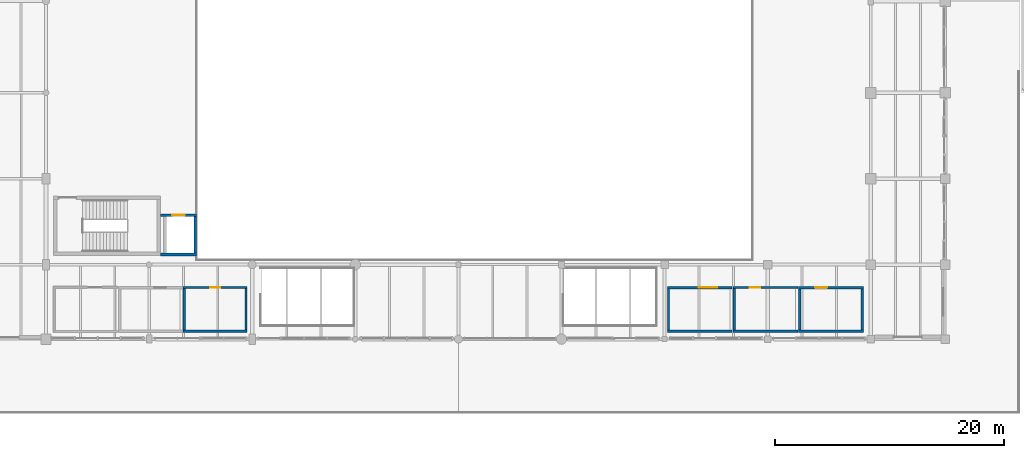
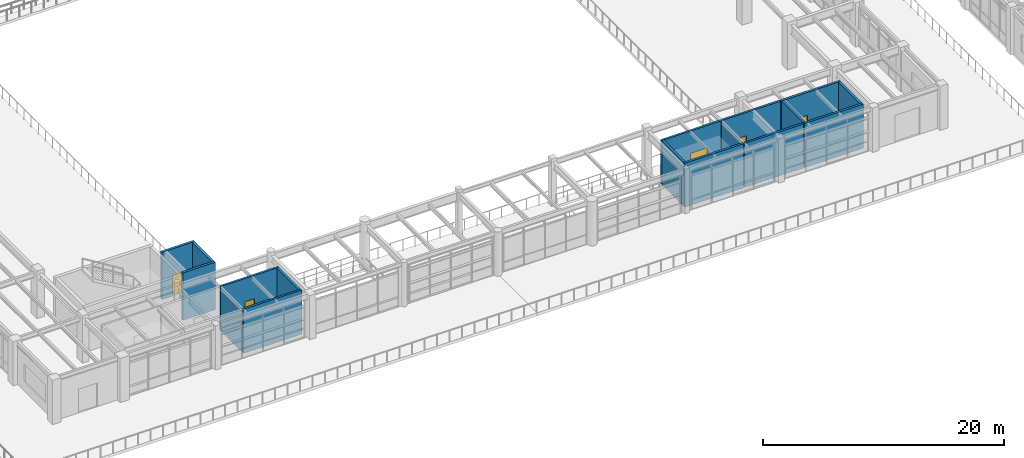
# One storey, part 173 of 200: 17 walls, 5 doors, 5 openings.
"""IFC4 building model written with IfcOpenShell, lengths in metres."""

import ifcopenshell
import ifcopenshell.guid

model = None  # the IFC model being written
_history = None  # IfcOwnerHistory: only IFC2X3 demands one
_inside = {}  # id of a spatial element -> (the spatial element, [elements in it])
_under = {}  # id of a project, library or spatial element -> (it, [spatial elements below it])
_declared = {}  # id of a project -> (the project, [libraries it declares])
_typed = {}  # id of a type object -> (the type object, [elements of that type])
_made_of = {}  # id of a material, layer set ... -> (it, [elements and type objects made of it])


def new_model(schema):
    """Start an empty IFC model of exactly this schema.

    Asked for "IFC4X3", IfcOpenShell would pick the latest addendum, in which some entities
    have other attributes; the version numbers below select the first issue.
    IFC2X3 requires an IfcOwnerHistory on every rooted entity: one is made here for all.
    """
    global model, _history
    if schema == "IFC4X3":
        model = ifcopenshell.file(schema_version=(4, 3, 0, 0))
    else:
        model = ifcopenshell.file(schema=schema)
    _inside.clear()
    _under.clear()
    _declared.clear()
    _typed.clear()
    _made_of.clear()
    _history = None
    if model.schema == "IFC2X3":
        org = make("IfcOrganization", Name="unknown")
        user = make(
            "IfcPersonAndOrganization",
            ThePerson=make("IfcPerson", FamilyName="unknown"),
            TheOrganization=org,
        )
        app = make(
            "IfcApplication",
            ApplicationDeveloper=org,
            Version="unknown",
            ApplicationFullName="unknown",
            ApplicationIdentifier="unknown",
        )
        _history = make(
            "IfcOwnerHistory",
            OwningUser=user,
            OwningApplication=app,
            ChangeAction="ADDED",
            CreationDate=0,
        )
    return model


def make(cls, **values):
    """One entity of the class cls with the attributes given. An attribute that is None is left unset."""
    return model.create_entity(
        cls, **{name: value for name, value in values.items() if value is not None}
    )


def rooted(cls, **values):
    """An entity with a GlobalId (a new one), such as an element, a storey or a relation."""
    return make(cls, GlobalId=ifcopenshell.guid.new(), OwnerHistory=_history, **values)


def si_unit(unit_type, name, prefix=None):
    """IfcSIUnit, for example si_unit("LENGTHUNIT", "METRE", prefix="MILLI")."""
    return make("IfcSIUnit", UnitType=unit_type, Prefix=prefix, Name=name)


def assignment(units):
    """IfcUnitAssignment: the units of a project."""
    return None if units is None else make("IfcUnitAssignment", Units=units)


def point(xyz):
    """IfcCartesianPoint."""
    return None if xyz is None else make("IfcCartesianPoint", Coordinates=xyz)


def direction(xyz):
    """IfcDirection."""
    return None if xyz is None else make("IfcDirection", DirectionRatios=xyz)


def frame(location, z_axis=None, x_axis=None):
    """IfcAxis2Placement3D, a coordinate frame: its origin and axes. An axis left out is left unset."""
    return make(
        "IfcAxis2Placement3D",
        Location=point(location),
        Axis=direction(z_axis),
        RefDirection=direction(x_axis),
    )


def frame_2d(location, x_axis=None):
    """IfcAxis2Placement2D, a coordinate frame in the plane: its origin and x axis."""
    return make(
        "IfcAxis2Placement2D", Location=point(location), RefDirection=direction(x_axis)
    )


def origin():
    """The frame at (0, 0, 0) with its axes left unset."""
    return frame((0.0, 0.0, 0.0))


def place(relative_to, where):
    """IfcLocalPlacement: puts the frame where relative to a parent placement (None: the world)."""
    return make(
        "IfcLocalPlacement", PlacementRelTo=relative_to, RelativePlacement=where
    )


def context(
    kind, dimensions, precision=None, world=None, true_north=None, identifier=None
):
    """IfcGeometricRepresentationContext, for example the 3D "Model" context."""
    return make(
        "IfcGeometricRepresentationContext",
        ContextIdentifier=identifier,
        ContextType=kind,
        CoordinateSpaceDimension=dimensions,
        Precision=precision,
        WorldCoordinateSystem=world,
        TrueNorth=true_north,
    )


def subcontext(parent, identifier, kind, view, scale=None):
    """IfcGeometricRepresentationSubContext, for example "Body" below "Model"."""
    return make(
        "IfcGeometricRepresentationSubContext",
        ContextIdentifier=identifier,
        ContextType=kind,
        ParentContext=parent,
        TargetScale=scale,
        TargetView=view,
    )


def project(units=None, contexts=None):
    """IfcProject with its units and contexts."""
    return rooted(
        "IfcProject",
        Name="project",
        RepresentationContexts=contexts,
        UnitsInContext=assignment(units),
    )


def spatial(cls, under=None, at=None, **own):
    """A site, building, storey or space (cls), placed at a placement, below another one or the project."""
    s = rooted(cls, ObjectPlacement=at, **own)
    if under is not None:
        _under.setdefault(under.id(), (under, []))[1].append(s)
    return s


def profile(cls, at=None, kind="AREA", **sizes):
    """A parametric profile (cls). Its sizes go by their IFC names, for example OverallWidth=200.0."""
    return make(cls, ProfileType=kind, Position=at, **sizes)


def rectangle(**sizes):
    """IfcRectangleProfileDef."""
    return profile("IfcRectangleProfileDef", **sizes)


def extrude(swept, where, along, depth):
    """IfcExtrudedAreaSolid: the profile swept, set in the frame where, extruded along a direction by depth."""
    return make(
        "IfcExtrudedAreaSolid",
        SweptArea=swept,
        Position=where,
        ExtrudedDirection=direction(along),
        Depth=depth,
    )


def shape(context_of_items, identifier, shape_type, items):
    """IfcShapeRepresentation: the items that make up one representation, for example the "Body"."""
    return make(
        "IfcShapeRepresentation",
        ContextOfItems=context_of_items,
        RepresentationIdentifier=identifier,
        RepresentationType=shape_type,
        Items=items,
    )


def material(Name=None, Category=None):
    """IfcMaterial."""
    return make("IfcMaterial", Name=Name, Category=Category)


def layer(
    of_material, thickness, ventilated=None, Name=None, Category=None, Priority=None
):
    """IfcMaterialLayer: one layer of a wall or slab, of a material (None: an air gap)."""
    return make(
        "IfcMaterialLayer",
        Material=of_material,
        LayerThickness=thickness,
        IsVentilated=ventilated,
        Name=Name,
        Category=Category,
        Priority=Priority,
    )


def layer_set(layers, Name=None):
    """IfcMaterialLayerSet."""
    return make("IfcMaterialLayerSet", MaterialLayers=layers, LayerSetName=Name)


def made_of(thing, what):
    """Note that an element or type object is made of a material, layer set ...; save() writes the relation."""
    if what is not None:
        _made_of.setdefault(what.id(), (what, []))[1].append(thing)
    return thing


def type_object(cls, material=None, **own):
    """A type object (cls), such as IfcWallType, which elements share."""
    return made_of(rooted(cls, **own), material)


def element(
    cls,
    number,
    at=None,
    inside=None,
    cuts=None,
    type_object=None,
    material=None,
    context=None,
    identifier="Body",
    shape_type=None,
    held_by="IfcProductDefinitionShape",
    body=None,
    shapes=None,
    **own,
):
    """One element of the class cls, such as IfcWall. Its Tag is "e" and its number.

    at: its placement. inside: the storey or other place that contains it. cuts: it is an
    opening in that element (IfcRelVoidsElement). A single representation is given by context,
    identifier, shape_type and body (its items); several are given by shapes. held_by: the class
    of the entity that holds the representations. save() writes the other relations.
    """
    e = rooted(cls, Tag="e%d" % number, ObjectPlacement=at, **own)
    if body is not None:
        shapes = [shape(context, identifier, shape_type, body)]
    if shapes is not None:
        e.Representation = make(held_by, Representations=shapes)
    if inside is not None:
        _inside.setdefault(inside.id(), (inside, []))[1].append(e)
    if cuts is not None:
        rooted(
            "IfcRelVoidsElement", RelatingBuildingElement=cuts, RelatedOpeningElement=e
        )
    if type_object is not None:
        _typed.setdefault(type_object.id(), (type_object, []))[1].append(e)
    return made_of(e, material)


def fill(opening, filler):
    """IfcRelFillsElement: the door or window that sits in an opening."""
    return rooted(
        "IfcRelFillsElement",
        RelatingOpeningElement=opening,
        RelatedBuildingElement=filler,
    )


def aggregate(whole, parts):
    """IfcRelAggregates: a whole, such as a stair, and the parts it consists of."""
    return rooted("IfcRelAggregates", RelatingObject=whole, RelatedObjects=parts)


def save(model, path):
    """Write the relations noted so far, then the file.

    IfcRelAggregates (storeys below a building ...), IfcRelContainedInSpatialStructure (elements
    in a storey), IfcRelDefinesByType, IfcRelAssociatesMaterial and IfcRelDeclares: one each for
    every whole, place, type object, material and project.
    """
    for whole, parts in _under.values():
        aggregate(whole, parts)
    for where, things in _inside.values():
        rooted(
            "IfcRelContainedInSpatialStructure",
            RelatedElements=things,
            RelatingStructure=where,
        )
    for kind, things in _typed.values():
        rooted("IfcRelDefinesByType", RelatedObjects=things, RelatingType=kind)
    for what, things in _made_of.values():
        rooted("IfcRelAssociatesMaterial", RelatedObjects=things, RelatingMaterial=what)
    for by, libraries in _declared.values():
        rooted("IfcRelDeclares", RelatingContext=by, RelatedDefinitions=libraries)
    model.write(path)


model = new_model("IFC4")

# Units and contexts
model_context = context("Model", 3, precision=1e-05, world=origin(), true_north=direction((0.0, 1.0)))
body_context = subcontext(model_context, "Body", "Model", "MODEL_VIEW")
ifc_project = project(units=[si_unit("LENGTHUNIT", "METRE"), si_unit("AREAUNIT", "SQUARE_METRE"), si_unit("VOLUMEUNIT", "CUBIC_METRE"), si_unit("PLANEANGLEUNIT", "RADIAN"), si_unit("MASSUNIT", "GRAM", prefix="KILO"), si_unit("THERMODYNAMICTEMPERATUREUNIT", "KELVIN"), si_unit("POWERUNIT", "WATT")], contexts=[model_context])

# Site, building, storey
site_placement = place(None, origin())
site = spatial("IfcSite", under=ifc_project, at=site_placement, CompositionType="ELEMENT")
building_placement = place(site_placement, origin())
building = spatial("IfcBuilding", under=site, at=building_placement, Name="Tepalcoro Natatorium and Aquatics Centre", CompositionType="ELEMENT")
storey_placement = place(building_placement, frame((0.0, 0.0, 5.39990234375)))
storey = spatial("IfcBuildingStorey", under=building, at=storey_placement, Name="L01", CompositionType="ELEMENT", Elevation=5.39990234375)

# Wall
ifc_material_1 = material(Name="Ceramic-Tiled Moisture-Resistant Masonry Blockwork", Category="masonry")
ifc_layer_1 = layer(ifc_material_1, 0.199951171875)
ifc_layer_set_1 = layer_set([ifc_layer_1], Name="Ceramic-Tiled Moisture-Resistant Masonry Blockwork")
wall_type_1 = type_object("IfcWallType", Name="WL_PLUMB_200", PredefinedType="PLUMBINGWALL", material=ifc_layer_set_1)
wall_1_placement = place(storey_placement, frame((64.972900390625, 7.199951171875, 0.0), z_axis=(0.0, 0.0, 1.0), x_axis=(1.0, 0.0, 0.0)))
element("IfcWall", 1, at=wall_1_placement, inside=storey, type_object=wall_type_1, Name="Spectator Accessible WC SW Partition S", PredefinedType="PLUMBINGWALL", context=body_context, shape_type="SweptSolid", body=[
    extrude(rectangle(XDim=5.587158203125, YDim=0.199951171875, at=frame_2d((2.79345703125, 0.0))), origin(), (0.0, 0.0, 1.0), 4.465087890625),
])

# Wall, opening, door
wall_2_placement = place(storey_placement, frame((64.972900390625, 11.0, 0.0), z_axis=(0.0, 0.0, 1.0), x_axis=(1.0, 0.0, 0.0)))
wall_2 = element("IfcWall", 2, at=wall_2_placement, inside=storey, type_object=wall_type_1, Name="Spectator Accessible WC SW Partition N", PredefinedType="PLUMBINGWALL", context=body_context, shape_type="SweptSolid", body=[
    extrude(rectangle(XDim=5.587158203125, YDim=0.199951171875, at=frame_2d((2.79345703125, 0.0))), origin(), (0.0, 0.0, 1.0), 4.465087890625),
])
opening_1_placement = place(wall_2_placement, frame((2.343505859375, 0.0, 0.0)))
opening_1 = element("IfcOpeningElement", 3, at=opening_1_placement, cuts=wall_2, Name="Opening D0117", PredefinedType="OPENING", context=body_context, shape_type="SweptSolid", body=[
    extrude(rectangle(XDim=0.89990234375, YDim=2.10009765625, at=frame_2d((0.449951171875, 1.050048828125))), frame((0.0, 0.11181640625, 0.0), z_axis=(0.0, -1.0, 0.0), x_axis=(1.0, 0.0, 0.0)), (0.0, 0.0, 1.0), 0.223876953125),
])
ifc_material_2 = material(Name="Solid-Core Moisture-Sealed Oak Timber Leaf in Aluminium Frame", Category="wood")
door_type_1 = type_object("IfcDoorType", Name="DR_095x215_WC", OperationType="NOTDEFINED", PredefinedType="DOOR", material=ifc_material_2)
door_1_placement = place(opening_1_placement, frame((0.89990234375, 0.0, 0.0), z_axis=(0.0, 0.0, 1.0), x_axis=(-1.0, 0.0, 0.0)))
door_1 = element("IfcDoor", 4, at=door_1_placement, inside=storey, type_object=door_type_1, Name="Spectator Accessible WC SW Door", OperationType="SINGLE_SWING_RIGHT", OverallHeight=2.10009765625, OverallWidth=0.89990234375, PredefinedType="DOOR", context=body_context, shape_type="SweptSolid", body=[
    extrude(rectangle(XDim=0.89990234375, YDim=2.10009765625, at=frame_2d((0.449951171875, 1.050048828125))), frame((0.0, 0.02490234375, 0.0), z_axis=(0.0, -1.0, 0.0), x_axis=(1.0, 0.0, 0.0)), (0.0, 0.0, 1.0), 0.050048828125),
])
fill(opening_1, door_1)

# Walls
wall_3_placement = place(storey_placement, frame((70.4599609375, 7.300048828125, 0.0), z_axis=(0.0, 0.0, 1.0), x_axis=(0.0, 1.0, 0.0)))
element("IfcWall", 5, at=wall_3_placement, inside=storey, type_object=wall_type_1, Name="Spectator Accessible WC SW Partition E", PredefinedType="PLUMBINGWALL", context=body_context, shape_type="SweptSolid", body=[
    extrude(rectangle(XDim=3.599853515625, YDim=0.199951171875, at=frame_2d((1.7998046875, 0.0))), origin(), (0.0, 0.0, 1.0), 4.465087890625),
])
wall_4_placement = place(storey_placement, frame((65.072998046875, 7.300048828125, 0.0), z_axis=(0.0, 0.0, 1.0), x_axis=(0.0, 1.0, 0.0)))
element("IfcWall", 6, at=wall_4_placement, inside=storey, type_object=wall_type_1, Name="Spectator Accessible WC SW Partition W", PredefinedType="PLUMBINGWALL", context=body_context, shape_type="SweptSolid", body=[
    extrude(rectangle(XDim=3.599853515625, YDim=0.199951171875, at=frame_2d((1.7998046875, 0.0))), origin(), (0.0, 0.0, 1.0), 4.092041015625),
])
wall_5_placement = place(storey_placement, frame((112.972900390625, 7.199951171875, 0.0), z_axis=(0.0, 0.0, 1.0), x_axis=(1.0, 0.0, 0.0)))
element("IfcWall", 7, at=wall_5_placement, inside=storey, type_object=wall_type_1, Name="Spectator Male & Female Toilets SE Partition S", PredefinedType="PLUMBINGWALL", context=body_context, shape_type="SweptSolid", body=[
    extrude(rectangle(XDim=5.654052734375, YDim=0.199951171875, at=frame_2d((2.8271484375, 0.0))), origin(), (0.0, 0.0, 1.0), 4.465087890625),
])

# Wall, opening, door
wall_6_placement = place(storey_placement, frame((112.972900390625, 11.0, 0.0), z_axis=(0.0, 0.0, 1.0), x_axis=(1.0, 0.0, 0.0)))
wall_6 = element("IfcWall", 8, at=wall_6_placement, inside=storey, type_object=wall_type_1, Name="Spectator Male & Female Toilets SE Partition N", PredefinedType="PLUMBINGWALL", context=body_context, shape_type="SweptSolid", body=[
    extrude(rectangle(XDim=5.654052734375, YDim=0.199951171875, at=frame_2d((2.8271484375, 0.0))), origin(), (0.0, 0.0, 1.0), 4.465087890625),
])
opening_2_placement = place(wall_6_placement, frame((1.46337890625, 0.0, 0.0)))
opening_2 = element("IfcOpeningElement", 9, at=opening_2_placement, cuts=wall_6, Name="Opening D0119", PredefinedType="OPENING", context=body_context, shape_type="SweptSolid", body=[
    extrude(rectangle(XDim=0.89990234375, YDim=2.10009765625, at=frame_2d((0.449951171875, 1.050048828125))), frame((0.0, 0.11181640625, 0.0), z_axis=(0.0, -1.0, 0.0), x_axis=(1.0, 0.0, 0.0)), (0.0, 0.0, 1.0), 0.223876953125),
])
door_2_placement = place(opening_2_placement, frame((0.89990234375, 0.0, 0.0), z_axis=(0.0, 0.0, 1.0), x_axis=(-1.0, 0.0, 0.0)))
door_2 = element("IfcDoor", 10, at=door_2_placement, inside=storey, type_object=door_type_1, Name="Spectator Male & Female Toilets SE Door", OperationType="SINGLE_SWING_LEFT", OverallHeight=2.10009765625, OverallWidth=0.89990234375, PredefinedType="DOOR", context=body_context, shape_type="SweptSolid", body=[
    extrude(rectangle(XDim=0.89990234375, YDim=2.10009765625, at=frame_2d((0.449951171875, 1.050048828125))), frame((0.0, 0.02490234375, 0.0), z_axis=(0.0, -1.0, 0.0), x_axis=(1.0, 0.0, 0.0)), (0.0, 0.0, 1.0), 0.050048828125),
])
fill(opening_2, door_2)

# Walls
wall_7_placement = place(storey_placement, frame((113.072998046875, 7.300048828125, 0.0), z_axis=(0.0, 0.0, 1.0), x_axis=(0.0, 1.0, 0.0)))
element("IfcWall", 11, at=wall_7_placement, inside=storey, type_object=wall_type_1, Name="Spectator Male & Female Toilets SE Partition W", PredefinedType="PLUMBINGWALL", context=body_context, shape_type="SweptSolid", body=[
    extrude(rectangle(XDim=3.599853515625, YDim=0.199951171875, at=frame_2d((1.7998046875, 0.0))), origin(), (0.0, 0.0, 1.0), 4.09912109375),
])
ifc_layer_2 = layer(ifc_material_1, 0.219970703125)
ifc_layer_set_2 = layer_set([ifc_layer_2], Name="Ceramic-Tiled Moisture-Resistant Masonry Blockwork")
wall_type_2 = type_object("IfcWallType", Name="WL_PLUMB_220", PredefinedType="PLUMBINGWALL", material=ifc_layer_set_2)
wall_8_placement = place(storey_placement, frame((118.70703125, 7.2099609375, 0.0), z_axis=(0.0, 0.0, 1.0), x_axis=(1.0, 0.0, 0.0)))
element("IfcWall", 12, at=wall_8_placement, inside=storey, type_object=wall_type_2, Name="Spectator Accessible WC SE Partition S", PredefinedType="PLUMBINGWALL", context=body_context, shape_type="SweptSolid", body=[
    extrude(rectangle(XDim=5.653076171875, YDim=0.219970703125, at=frame_2d((2.82666015625, 0.0))), origin(), (0.0, 0.0, 1.0), 4.465087890625),
])

# Wall, opening, door
wall_9_placement = place(storey_placement, frame((118.70703125, 10.989990234375, 0.0), z_axis=(0.0, 0.0, 1.0), x_axis=(1.0, 0.0, 0.0)))
wall_9 = element("IfcWall", 13, at=wall_9_placement, inside=storey, type_object=wall_type_2, Name="Spectator Accessible WC SE Partition N", PredefinedType="PLUMBINGWALL", context=body_context, shape_type="SweptSolid", body=[
    extrude(rectangle(XDim=5.653076171875, YDim=0.219970703125, at=frame_2d((2.82666015625, 0.0))), origin(), (0.0, 0.0, 1.0), 4.465087890625),
])
opening_3_placement = place(wall_9_placement, frame((1.42578125, 0.0, 0.0)))
opening_3 = element("IfcOpeningElement", 14, at=opening_3_placement, cuts=wall_9, Name="Opening D0120", PredefinedType="OPENING", context=body_context, shape_type="SweptSolid", body=[
    extrude(rectangle(XDim=1.050048828125, YDim=2.14990234375, at=frame_2d((0.52490234375, 1.074951171875))), frame((0.0, 0.1220703125, 0.0), z_axis=(0.0, -1.0, 0.0), x_axis=(1.0, 0.0, 0.0)), (0.0, 0.0, 1.0), 0.243896484375),
])
door_type_2 = type_object("IfcDoorType", Name="DR_105x215_ACC", OperationType="NOTDEFINED", PredefinedType="DOOR", material=ifc_material_2)
door_3_placement = place(opening_3_placement, frame((1.050048828125, 0.0, 0.0), z_axis=(0.0, 0.0, 1.0), x_axis=(-1.0, 0.0, 0.0)))
door_3 = element("IfcDoor", 15, at=door_3_placement, inside=storey, type_object=door_type_2, Name="Spectator Accessible WC SE Door", OperationType="SINGLE_SWING_RIGHT", OverallHeight=2.14990234375, OverallWidth=1.050048828125, PredefinedType="DOOR", context=body_context, shape_type="SweptSolid", body=[
    extrude(rectangle(XDim=1.050048828125, YDim=2.14990234375, at=frame_2d((0.52490234375, 1.074951171875))), frame((0.0, 0.02490234375, 0.0), z_axis=(0.0, -1.0, 0.0), x_axis=(1.0, 0.0, 0.0)), (0.0, 0.0, 1.0), 0.050048828125),
])
fill(opening_3, door_3)

# Walls
for number, where, z_axis, x_axis, name in (
    (16, (124.25, 7.320068359375, 0.0), (0.0, 0.0, 1.0), (0.0, 1.0, 0.0), "Spectator Accessible WC SE Partition E"),
    (17, (118.81689453125, 7.320068359375, 0.0), (0.0, 0.0, 1.0), (0.0, 1.0, 0.0), "Spectator Accessible WC SE Partition W"),
):
    element("IfcWall", number, at=place(storey_placement, frame(where, z_axis=z_axis, x_axis=x_axis)), inside=storey, type_object=wall_type_2, Name=name, PredefinedType="PLUMBINGWALL", context=body_context, shape_type="SweptSolid", body=[
        extrude(rectangle(XDim=3.559814453125, YDim=0.219970703125, at=frame_2d((1.77978515625, 0.0))), origin(), (0.0, 0.0, 1.0), 4.465087890625),
    ])
ifc_material_3 = material(Name="Concrete C40/50 (fc 40 MPa)", Category="concrete")
ifc_layer_3 = layer(ifc_material_3, 0.239990234375)
ifc_layer_set_3 = layer_set([ifc_layer_3], Name="Concrete C40/50 (fc 40 MPa)")
wall_type_3 = type_object("IfcWallType", Name="WL_SHAFT_240", PredefinedType="SOLIDWALL", material=ifc_layer_set_3)
wall_10_placement = place(storey_placement, frame((63.0, 13.8798828125, 0.0), z_axis=(0.0, 0.0, 1.0), x_axis=(1.0, 0.0, 0.0)))
element("IfcWall", 18, at=wall_10_placement, inside=storey, type_object=wall_type_3, Name="LF01 Lift Shaft Wall S L01", PredefinedType="SOLIDWALL", context=body_context, shape_type="SweptSolid", body=[
    extrude(rectangle(XDim=3.139892578125, YDim=0.239990234375, at=frame_2d((1.56982421875, 0.0))), origin(), (0.0, 0.0, 1.0), 4.800048828125),
])

# Wall, opening, door
wall_11_placement = place(storey_placement, frame((63.0, 17.320068359375, 0.0), z_axis=(0.0, 0.0, 1.0), x_axis=(1.0, 0.0, 0.0)))
wall_11 = element("IfcWall", 19, at=wall_11_placement, inside=storey, type_object=wall_type_3, Name="LF01 Lift Shaft Wall N L01", PredefinedType="SOLIDWALL", context=body_context, shape_type="SweptSolid", body=[
    extrude(rectangle(XDim=3.139892578125, YDim=0.239990234375, at=frame_2d((1.56982421875, 0.0))), origin(), (0.0, 0.0, 1.0), 4.800048828125),
])
opening_4_placement = place(wall_11_placement, frame((1.02001953125, 0.0, 0.0)))
opening_4 = element("IfcOpeningElement", 20, at=opening_4_placement, cuts=wall_11, Name="Opening LD-LF01-L01", PredefinedType="OPENING", context=body_context, shape_type="SweptSolid", body=[
    extrude(rectangle(XDim=1.10009765625, YDim=2.14990234375, at=frame_2d((0.550048828125, 1.074951171875))), frame((0.0, 0.1318359375, 0.0), z_axis=(0.0, -1.0, 0.0), x_axis=(1.0, 0.0, 0.0)), (0.0, 0.0, 1.0), 0.263916015625),
])
ifc_material_4 = material(Name="Marine-Grade Brushed Stainless Steel AISI 316L", Category="steel")
door_type_3 = type_object("IfcDoorType", Name="DR_110x215_LIFT", OperationType="NOTDEFINED", PredefinedType="USERDEFINED", material=ifc_material_4)
door_4_placement = place(opening_4_placement, origin())
door_4 = element("IfcDoor", 21, at=door_4_placement, inside=storey, type_object=door_type_3, Name="LF01 Lift Landing Sliding Door (L01)", ObjectType="SLIDING LANDING DOOR", OperationType="SLIDING_TO_LEFT", OverallHeight=2.14990234375, OverallWidth=1.10009765625, PredefinedType="USERDEFINED", context=body_context, shape_type="SweptSolid", body=[
    extrude(rectangle(XDim=1.10009765625, YDim=2.14990234375, at=frame_2d((0.550048828125, 1.074951171875))), frame((0.0, 0.02490234375, 0.0), z_axis=(0.0, -1.0, 0.0), x_axis=(1.0, 0.0, 0.0)), (0.0, 0.0, 1.0), 0.050048828125),
])
fill(opening_4, door_4)

# Walls
wall_12_placement = place(storey_placement, frame((66.02001953125, 14.0, 0.0), z_axis=(0.0, 0.0, 1.0), x_axis=(0.0, 1.0, 0.0)))
element("IfcWall", 22, at=wall_12_placement, inside=storey, type_object=wall_type_3, Name="LF01 Lift Shaft Wall E L01", PredefinedType="SOLIDWALL", context=body_context, shape_type="SweptSolid", body=[
    extrude(rectangle(XDim=3.199951171875, YDim=0.239990234375, at=frame_2d((1.60009765625, 0.0))), origin(), (0.0, 0.0, 1.0), 4.800048828125),
])
ifc_material_5 = material(Name="Concrete C35/45 (fc 35 MPa)", Category="concrete")
ifc_layer_4 = layer(ifc_material_5, 0.205078125)
ifc_layer_set_4 = layer_set([ifc_layer_4], Name="Concrete C35/45 (fc 35 MPa)")
wall_type_4 = type_object("IfcWallType", Name="WL_SOLID_200_FR120", PredefinedType="SOLIDWALL", material=ifc_layer_set_4)
wall_13_placement = place(storey_placement, frame((107.239990234375, 7.202392578125, 0.0), z_axis=(0.0, 0.0, 1.0), x_axis=(1.0, 0.0, 0.0)))
element("IfcWall", 23, at=wall_13_placement, inside=storey, type_object=wall_type_4, Name="VIP Presidential Hospitality Box & Viewing Lounge Partition S", PredefinedType="SOLIDWALL", context=body_context, shape_type="SweptSolid", body=[
    extrude(rectangle(XDim=5.653076171875, YDim=0.205078125, at=frame_2d((2.82666015625, 0.0))), origin(), (0.0, 0.0, 1.0), 4.465087890625),
])

# Wall, opening, door
wall_14_placement = place(storey_placement, frame((107.239990234375, 10.99755859375, 0.0), z_axis=(0.0, 0.0, 1.0), x_axis=(1.0, 0.0, 0.0)))
wall_14 = element("IfcWall", 24, at=wall_14_placement, inside=storey, type_object=wall_type_4, Name="VIP Presidential Hospitality Box & Viewing Lounge Partition N", PredefinedType="SOLIDWALL", context=body_context, shape_type="SweptSolid", body=[
    extrude(rectangle(XDim=5.653076171875, YDim=0.205078125, at=frame_2d((2.82666015625, 0.0))), origin(), (0.0, 0.0, 1.0), 4.465087890625),
])
opening_5_placement = place(wall_14_placement, frame((2.764892578125, 0.0, 0.0)))
opening_5 = element("IfcOpeningElement", 25, at=opening_5_placement, cuts=wall_14, Name="Opening D0118", PredefinedType="OPENING", context=body_context, shape_type="SweptSolid", body=[
    extrude(rectangle(XDim=1.60009765625, YDim=2.199951171875, at=frame_2d((0.800048828125, 1.10009765625))), frame((0.0, 0.114501953125, 0.0), z_axis=(0.0, -1.0, 0.0), x_axis=(1.0, 0.0, 0.0)), (0.0, 0.0, 1.0), 0.22900390625),
])
ifc_material_6 = material(Name="Galvanised Steel Insulated Acoustic Fire Door Assembly", Category="steel")
door_type_4 = type_object("IfcDoorType", Name="DR_160x220_FD90", OperationType="NOTDEFINED", PredefinedType="DOOR", material=ifc_material_6)
door_5_placement = place(opening_5_placement, frame((1.60009765625, 0.0, 0.0), z_axis=(0.0, 0.0, 1.0), x_axis=(-1.0, 0.0, 0.0)))
door_5 = element("IfcDoor", 26, at=door_5_placement, inside=storey, type_object=door_type_4, Name="VIP Presidential Hospitality Box & Viewing Lounge Door", OperationType="DOUBLE_DOOR_SINGLE_SWING", OverallHeight=2.199951171875, OverallWidth=1.60009765625, PredefinedType="DOOR", context=body_context, shape_type="SweptSolid", body=[
    extrude(rectangle(XDim=1.60009765625, YDim=2.199951171875, at=frame_2d((0.800048828125, 1.10009765625))), frame((0.0, 0.02490234375, 0.0), z_axis=(0.0, -1.0, 0.0), x_axis=(1.0, 0.0, 0.0)), (0.0, 0.0, 1.0), 0.050048828125),
])
fill(opening_5, door_5)

# Wall
wall_15_placement = place(storey_placement, frame((107.342529296875, 7.304931640625, 0.0), z_axis=(0.0, 0.0, 1.0), x_axis=(0.0, 1.0, 0.0)))
element("IfcWall", 27, at=wall_15_placement, inside=storey, type_object=wall_type_4, Name="VIP Presidential Hospitality Box & Viewing Lounge Partition W", PredefinedType="SOLIDWALL", context=body_context, shape_type="SweptSolid", body=[
    extrude(rectangle(XDim=3.590087890625, YDim=0.205078125, at=frame_2d((1.794921875, 0.0))), origin(), (0.0, 0.0, 1.0), 4.465087890625),
])

save(model, "model.ifc")
